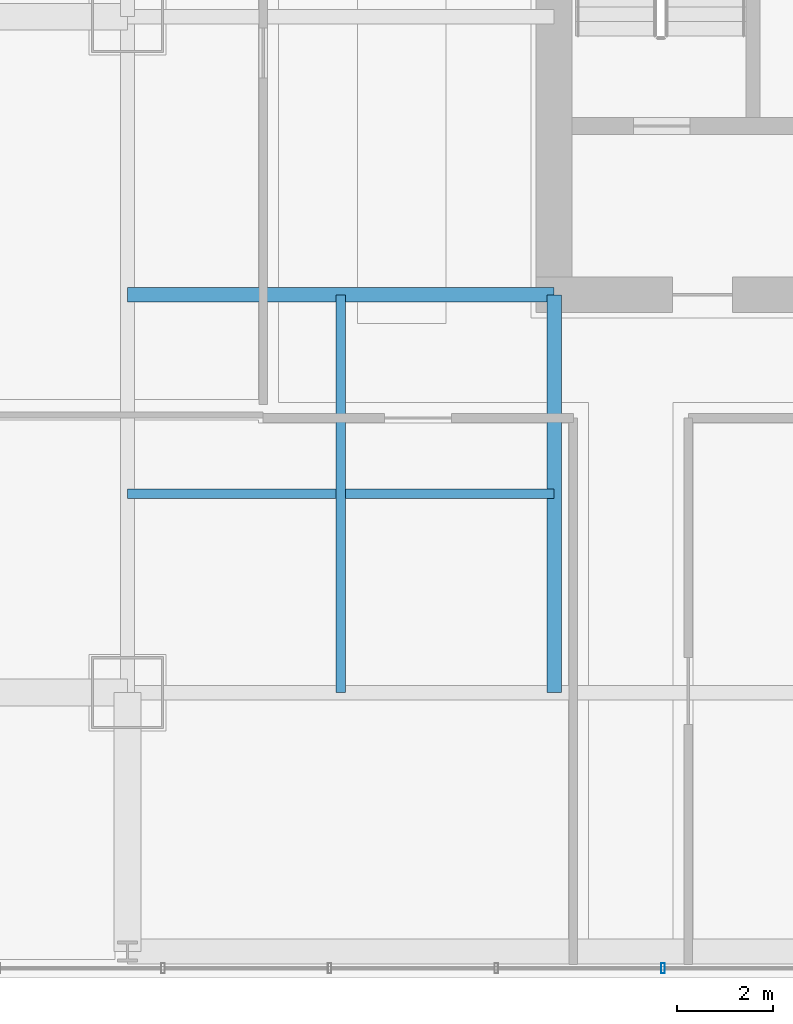
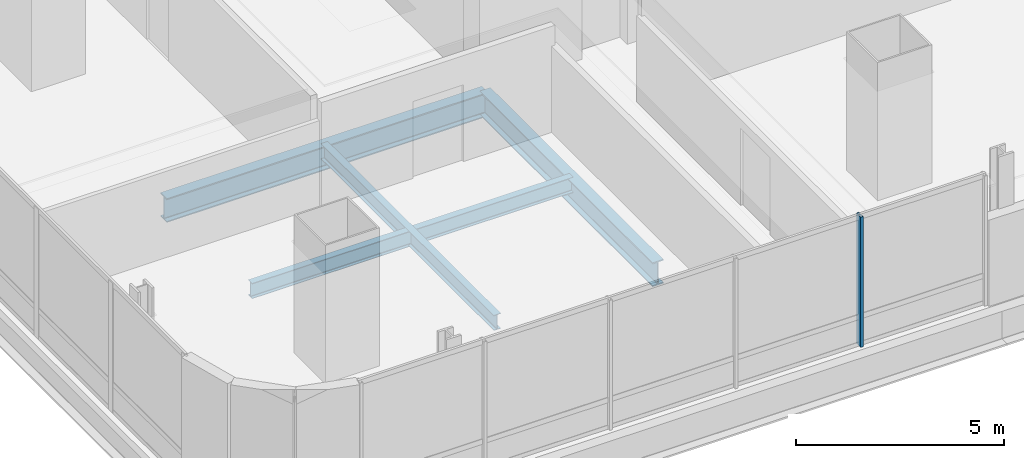
# One storey, part 6 of 37: 4 beams, 1 member, 1 element without a shape of its own.
"""IFC4 building model written with IfcOpenShell, lengths in metres."""

from ifc_helpers import new_model, si_unit, direction, frame, origin, origin_2d, place, context, subcontext, project, spatial, hollow_rectangle, i_section, extrude, material, material_profile, profile_set, type_object, element, aggregate, save


model = new_model("IFC4")

# Units and contexts
model_context = context("Model", 3, precision=1e-05, world=origin(), true_north=direction((0.0, 1.0)))
body_context = subcontext(model_context, "Body", "Model", "MODEL_VIEW")
ifc_project = project(units=[si_unit("LENGTHUNIT", "METRE"), si_unit("AREAUNIT", "SQUARE_METRE"), si_unit("VOLUMEUNIT", "CUBIC_METRE"), si_unit("PLANEANGLEUNIT", "RADIAN"), si_unit("MASSUNIT", "GRAM", prefix="KILO")], contexts=[model_context])

# Site, building, storey
site_placement = place(None, origin())
site = spatial("IfcSite", under=ifc_project, at=site_placement, CompositionType="ELEMENT")
building_placement = place(site_placement, origin())
building = spatial("IfcBuilding", under=site, at=building_placement, Name="Punatoya Terracotta Tower", CompositionType="ELEMENT")
storey_placement = place(building_placement, frame((0.0, 0.0, 44.39990234375)))
storey = spatial("IfcBuildingStorey", under=building, at=storey_placement, Name="L09", CompositionType="ELEMENT", Elevation=44.39990234375)

# Beams
ifc_material_1 = material(Name="Steel S355", Category="steel")
ifc_material_profile_1 = material_profile(ifc_material_1, i_section(OverallWidth=0.300048828125, OverallDepth=0.699951171875, WebThickness=0.01708984375, FlangeThickness=0.031982421875, FilletRadius=0.01806640625, at=origin_2d()))
ifc_profile_set_1 = profile_set([ifc_material_profile_1], Name="Steel S355")
beam_type_1 = type_object("IfcBeamType", Name="BM-PRI-700", PredefinedType="BEAM", material=ifc_profile_set_1)
beam_1_placement = place(storey_placement, frame((-19.10009765625, -9.199951171875, -0.58984375), z_axis=(1.0, 0.0, 0.0), x_axis=(0.0, 1.0, 0.0)))
element("IfcBeam", 1, at=beam_1_placement, inside=storey, type_object=beam_type_1, Name="BM-L09-PR-WS", PredefinedType="BEAM", context=body_context, shape_type="SweptSolid", body=[
    extrude(i_section(OverallWidth=0.300048828125, OverallDepth=0.699951171875, WebThickness=0.01708984375, FlangeThickness=0.031982421875, FilletRadius=0.01806640625, at=origin_2d()), origin(), (0.0, 0.0, 1.0), 8.900146484375),
])
beam_2_placement = place(storey_placement, frame((-10.199951171875, -17.5, -0.58984375), z_axis=(0.0, 1.0, 0.0), x_axis=(-1.0, 0.0, 0.0)))
element("IfcBeam", 2, at=beam_2_placement, inside=storey, type_object=beam_type_1, Name="BM-L09-PR-S1", PredefinedType="BEAM", context=body_context, shape_type="SweptSolid", body=[
    extrude(i_section(OverallWidth=0.300048828125, OverallDepth=0.699951171875, WebThickness=0.01708984375, FlangeThickness=0.031982421875, FilletRadius=0.01806640625, at=origin_2d()), origin(), (0.0, 0.0, 1.0), 8.300048828125),
])
ifc_material_profile_2 = material_profile(ifc_material_1, i_section(OverallWidth=0.18994140625, OverallDepth=0.449951171875, WebThickness=0.009521484375, FlangeThickness=0.0146484375, FilletRadius=0.01806640625, at=origin_2d()))
ifc_profile_set_2 = profile_set([ifc_material_profile_2], Name="Steel S355")
beam_type_2 = type_object("IfcBeamType", Name="BM-SEC-450", PredefinedType="JOIST", material=ifc_profile_set_2)
beam_3_placement = place(storey_placement, frame((-19.10009765625, -13.35009765625, -0.46484375), z_axis=(1.0, 0.0, 0.0), x_axis=(0.0, 1.0, 0.0)))
element("IfcBeam", 3, at=beam_3_placement, inside=storey, type_object=beam_type_2, Name="BM-L09-SJS-1", PredefinedType="JOIST", context=body_context, shape_type="SweptSolid", body=[
    extrude(i_section(OverallWidth=0.18994140625, OverallDepth=0.449951171875, WebThickness=0.009521484375, FlangeThickness=0.0146484375, FilletRadius=0.01806640625, at=origin_2d()), origin(), (0.0, 0.0, 1.0), 8.900146484375),
])
beam_4_placement = place(storey_placement, frame((-14.64990234375, -17.5, -0.46484375), z_axis=(0.0, 1.0, 0.0), x_axis=(-1.0, 0.0, 0.0)))
element("IfcBeam", 4, at=beam_4_placement, inside=storey, type_object=beam_type_2, Name="BM-L09-SJW-1", PredefinedType="JOIST", context=body_context, shape_type="SweptSolid", body=[
    extrude(i_section(OverallWidth=0.18994140625, OverallDepth=0.449951171875, WebThickness=0.009521484375, FlangeThickness=0.0146484375, FilletRadius=0.01806640625, at=origin_2d()), origin(), (0.0, 0.0, 1.0), 8.300048828125),
])

# Curtain wall, member
ifc_material_2 = material(Name="Aluminium 6063-T6 + Double Low-E Glass", Category="aluminium")
curtain_wall_type = type_object("IfcCurtainWallType", Name="CW-M1", PredefinedType="NOTDEFINED", material=ifc_material_2)
curtain_wall_placement = place(storey_placement, origin())
curtain_wall = element("IfcCurtainWall", 5, at=curtain_wall_placement, inside=storey, type_object=curtain_wall_type, Name="L09 Curtain Wall CW-L09-S01-1", PredefinedType="NOTDEFINED")
ifc_material_3 = material(Name="Aluminium 6063-T6", Category="aluminium")
ifc_material_profile_3 = material_profile(ifc_material_3, hollow_rectangle(XDim=0.074951171875, YDim=0.2099609375, WallThickness=0.00439453125, at=origin_2d()))
ifc_profile_set_3 = profile_set([ifc_material_profile_3], Name="Aluminium 6063-T6")
member_type = type_object("IfcMemberType", Name="CW-MUL-M1", PredefinedType="MULLION", material=ifc_profile_set_3)
member_placement = place(storey_placement, frame((-7.927490234375, -23.25, 0.0), z_axis=(0.0, 0.0, 1.0), x_axis=(1.0, 0.0, 0.0)))
member = element("IfcMember", 6, at=member_placement, type_object=member_type, Name="CW-L09-S01-1 Mullion 04", PredefinedType="MULLION", context=body_context, shape_type="SweptSolid", body=[
    extrude(hollow_rectangle(XDim=0.074951171875, YDim=0.2099609375, WallThickness=0.00439453125, at=origin_2d()), origin(), (0.0, 0.0, 1.0), 3.81005859375),
])
aggregate(curtain_wall, [member])

save(model, "model.ifc")
